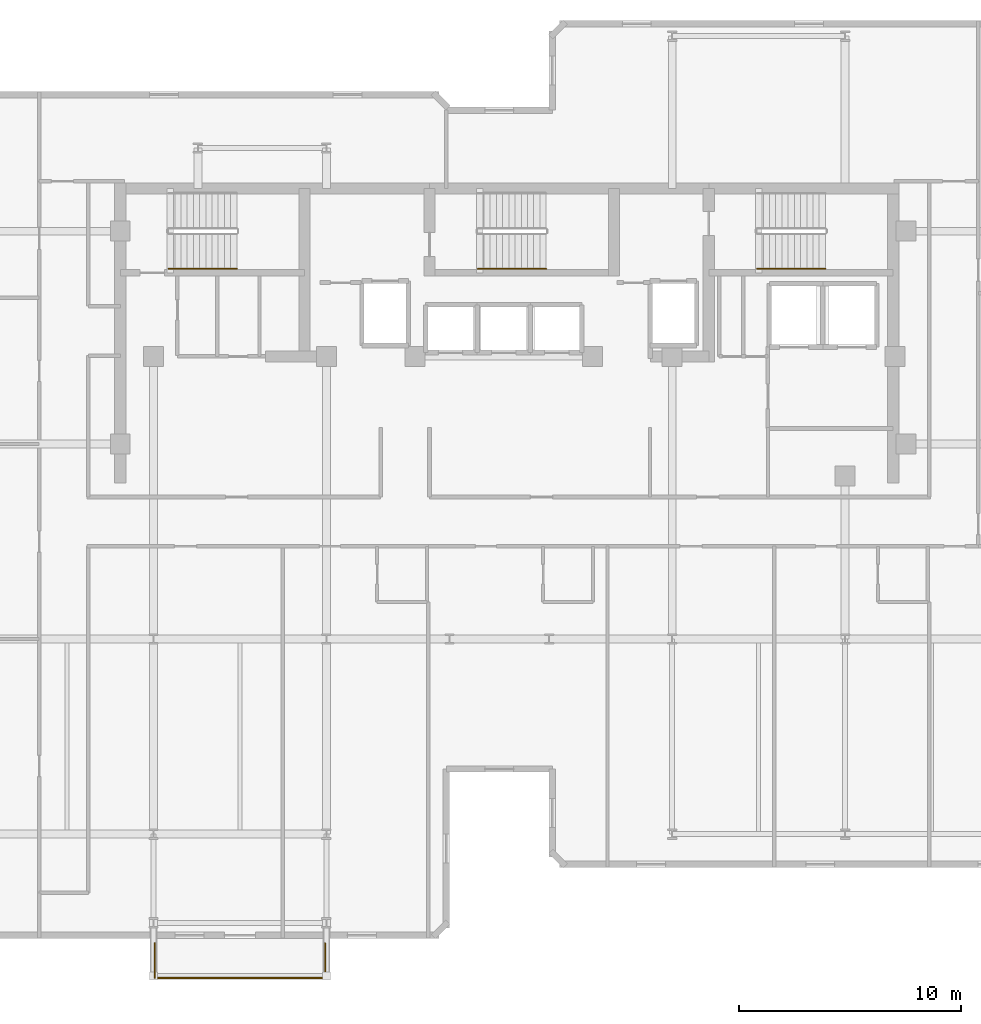
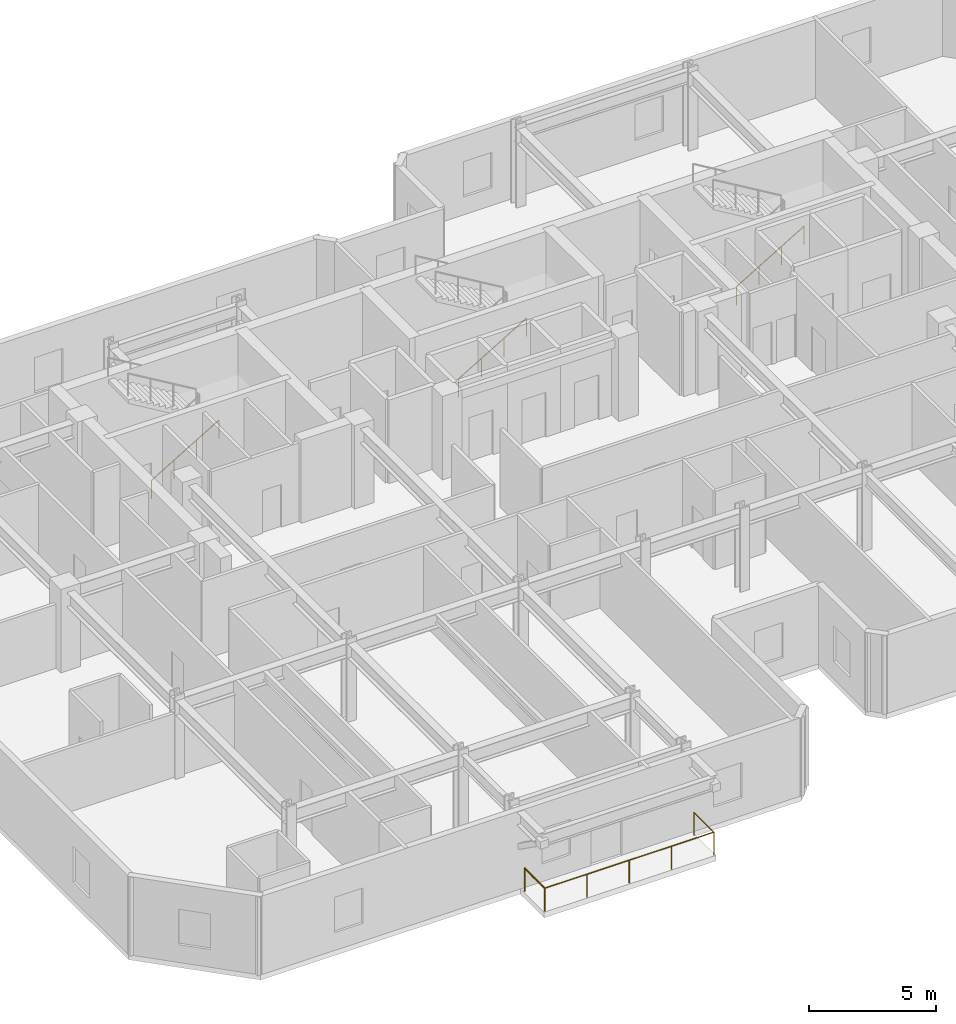
# One storey, part 9 of 10: 5 railings.
"""IFC4 building model written with IfcOpenShell, lengths in metres."""

from ifc_helpers import new_model, si_unit, direction, frame, origin, origin_2d, place, context, subcontext, project, spatial, circle, extrude, material, type_object, element, save


model = new_model("IFC4")

# Units and contexts
model_context = context("Model", 3, precision=1e-05, world=origin(), true_north=direction((0.0, 1.0)))
body_context = subcontext(model_context, "Body", "Model", "MODEL_VIEW")
ifc_project = project(units=[si_unit("LENGTHUNIT", "METRE"), si_unit("AREAUNIT", "SQUARE_METRE"), si_unit("VOLUMEUNIT", "CUBIC_METRE"), si_unit("PLANEANGLEUNIT", "RADIAN"), si_unit("MASSUNIT", "GRAM", prefix="KILO")], contexts=[model_context])

# Site, building, storey
site_placement = place(None, origin())
site = spatial("IfcSite", under=ifc_project, at=site_placement, CompositionType="ELEMENT")
building_placement = place(site_placement, origin())
building = spatial("IfcBuilding", under=site, at=building_placement, Name="Kestravale Grand Hotel", CompositionType="ELEMENT")
storey_placement = place(building_placement, frame((0.0, 0.0, 273.39990234375)))
storey = spatial("IfcBuildingStorey", under=building, at=storey_placement, Name="L68", CompositionType="ELEMENT", Elevation=273.39990234375)

# Railings
ifc_material_1 = material(Name="Champagne-bronze stainless steel and laminated glass guard", Category="steel")
railing_type_1 = type_object("IfcRailingType", Name="RL-EXT-1100", PredefinedType="GUARDRAIL", material=ifc_material_1)
railing_1_placement = place(storey_placement, frame((23.4599609375, 4.7099609375, 0.0)))
element("IfcRailing", 1, at=railing_1_placement, inside=storey, type_object=railing_type_1, Name="L68 outdoor terrace guard 1", PredefinedType="GUARDRAIL", context=body_context, shape_type="SweptSolid", body=[
    extrude(circle(Radius=0.02392578125, at=origin_2d()), frame((0.0, 0.0, 1.09619140625), z_axis=(0.0, 1.0, 0.0), x_axis=(-1.0, 0.0, 0.0)), (0.0, 0.0, 1.0), 1.570068359375),
    extrude(circle(Radius=0.02099609375, at=origin_2d()), origin(), (0.0, 0.0, 1.0), 1.072021484375),
    extrude(circle(Radius=0.02099609375, at=origin_2d()), frame((0.0, 1.570068359375, 0.0)), (0.0, 0.0, 1.0), 1.072021484375),
])
railing_2_placement = place(storey_placement, frame((31.139892578125, 6.280029296875, 0.0)))
element("IfcRailing", 2, at=railing_2_placement, inside=storey, type_object=railing_type_1, Name="L68 outdoor terrace guard 2", PredefinedType="GUARDRAIL", context=body_context, shape_type="SweptSolid", body=[
    extrude(circle(Radius=0.02392578125, at=origin_2d()), frame((0.0, 0.0, 1.09619140625), z_axis=(0.0, -1.0, 0.0), x_axis=(1.0, 0.0, 0.0)), (0.0, 0.0, 1.0), 1.570068359375),
    extrude(circle(Radius=0.02392578125, at=origin_2d()), frame((0.0, -1.570068359375, 1.09619140625), z_axis=(-1.0, 0.0, 0.0), x_axis=(0.0, -1.0, 0.0)), (0.0, 0.0, 1.0), 7.679931640625),
    extrude(circle(Radius=0.02099609375, at=origin_2d()), origin(), (0.0, 0.0, 1.0), 1.072021484375),
    extrude(circle(Radius=0.02099609375, at=origin_2d()), frame((0.0, -1.570068359375, 0.0)), (0.0, 0.0, 1.0), 1.072021484375),
    extrude(circle(Radius=0.02099609375, at=origin_2d()), frame((-1.919921875, -1.570068359375, 0.0)), (0.0, 0.0, 1.0), 1.072021484375),
    extrude(circle(Radius=0.02099609375, at=origin_2d()), frame((-3.83984375, -1.570068359375, 0.0)), (0.0, 0.0, 1.0), 1.072021484375),
    extrude(circle(Radius=0.02099609375, at=origin_2d()), frame((-5.760009765625, -1.570068359375, 0.0)), (0.0, 0.0, 1.0), 1.072021484375),
    extrude(circle(Radius=0.02099609375, at=origin_2d()), frame((-7.679931640625, -1.570068359375, 0.0)), (0.0, 0.0, 1.0), 1.072021484375),
])
ifc_material_2 = material(Name="Brushed stainless steel wall handrail", Category="steel")
railing_type_2 = type_object("IfcRailingType", Name="RL-ST-HND900", PredefinedType="HANDRAIL", material=ifc_material_2)
railing_3_placement = place(storey_placement, frame((24.080078125, 36.699951171875, 0.166748046875)))
element("IfcRailing", 3, at=railing_3_placement, inside=storey, type_object=railing_type_2, Name="L68 ST-1 stair handrail 1", PredefinedType="HANDRAIL", context=body_context, shape_type="SweptSolid", body=[
    extrude(circle(Radius=0.02392578125, at=origin_2d()), frame((0.0, 0.0, 0.8759765625), z_axis=(0.859290745958, 0.0, 0.51148745235), x_axis=(0.0, 1.0, 0.0)), (0.0, 0.0, 1.0), 3.584228515625),
    extrude(circle(Radius=0.02099609375, at=origin_2d()), origin(), (0.0, 0.0, 1.0), 0.851806640625),
    extrude(circle(Radius=0.02099609375, at=origin_2d()), frame((1.026611328125, 0.0, 0.611083984375)), (0.0, 0.0, 1.0), 0.851806640625),
    extrude(circle(Radius=0.02099609375, at=origin_2d()), frame((2.05322265625, 0.0, 1.22216796875)), (0.0, 0.0, 1.0), 0.851806640625),
    extrude(circle(Radius=0.02099609375, at=origin_2d()), frame((3.079833984375, 0.0, 1.833251953125)), (0.0, 0.0, 1.0), 0.851806640625),
])
for number, where, name in (
    (4, (38.030029296875, 36.699951171875, 0.166748046875), "L68 ST-2 stair handrail 1"),
    (5, (50.6298828125, 36.699951171875, 0.166748046875), "L68 ST-3 stair handrail 1"),
):
    element("IfcRailing", number, at=place(storey_placement, frame(where)), inside=storey, type_object=railing_type_2, Name=name, PredefinedType="HANDRAIL", context=body_context, shape_type="SweptSolid", body=[
        extrude(circle(Radius=0.02392578125, at=origin_2d()), frame((0.0, 0.0, 0.8759765625), z_axis=(0.859308565015, 0.0, 0.511457515432), x_axis=(0.0, 1.0, 0.0)), (0.0, 0.0, 1.0), 3.58447265625),
        extrude(circle(Radius=0.02099609375, at=origin_2d()), origin(), (0.0, 0.0, 1.0), 0.851806640625),
        extrude(circle(Radius=0.02099609375, at=origin_2d()), frame((1.026611328125, 0.0, 0.611083984375)), (0.0, 0.0, 1.0), 0.851806640625),
        extrude(circle(Radius=0.02099609375, at=origin_2d()), frame((2.053466796875, 0.0, 1.22216796875)), (0.0, 0.0, 1.0), 0.851806640625),
        extrude(circle(Radius=0.02099609375, at=origin_2d()), frame((3.080078125, 0.0, 1.833251953125)), (0.0, 0.0, 1.0), 0.851806640625),
    ])

save(model, "model.ifc")
